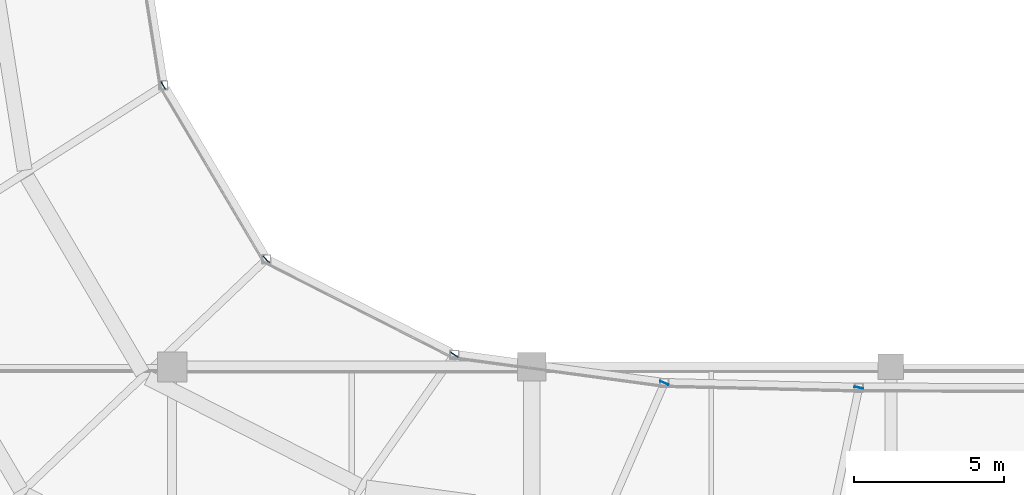
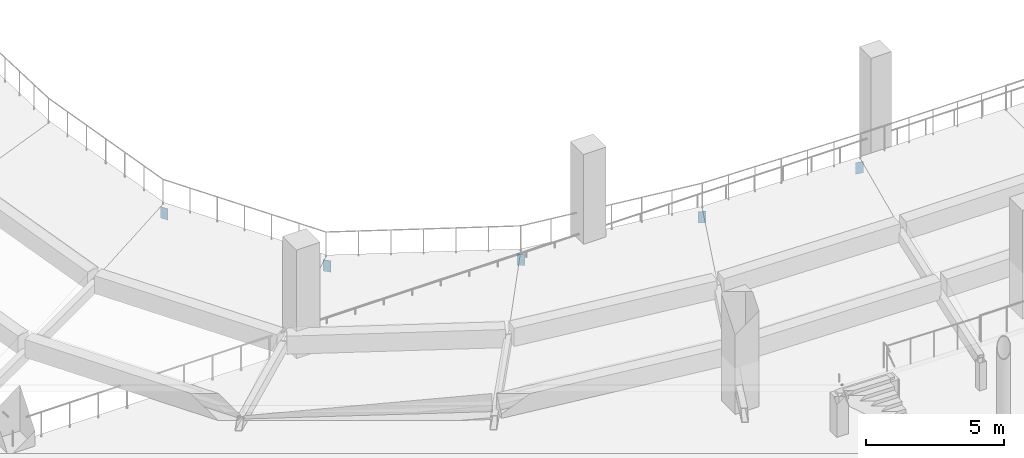
# One storey, part 40 of 77: 5 plates.
"""IFC4 building model written with IfcOpenShell, lengths in metres."""

from ifc_helpers import new_model, si_unit, direction, frame, origin, origin_2d, place, context, subcontext, project, spatial, rectangle, extrude, material, layer, layer_set, type_object, element, save


model = new_model("IFC4")

# Units and contexts
model_context = context("Model", 3, precision=1e-05, world=origin(), true_north=direction((0.0, 1.0)))
body_context = subcontext(model_context, "Body", "Model", "MODEL_VIEW")
ifc_project = project(units=[si_unit("LENGTHUNIT", "METRE"), si_unit("AREAUNIT", "SQUARE_METRE"), si_unit("VOLUMEUNIT", "CUBIC_METRE"), si_unit("PLANEANGLEUNIT", "RADIAN"), si_unit("MASSUNIT", "GRAM", prefix="KILO")], contexts=[model_context])

# Site, building, storey
site_placement = place(None, origin())
site = spatial("IfcSite", under=ifc_project, at=site_placement, CompositionType="ELEMENT")
building_placement = place(site_placement, origin())
building = spatial("IfcBuilding", under=site, at=building_placement, Name="Luwafu Chhajja Arena", CompositionType="ELEMENT")
storey_placement = place(building_placement, frame((0.0, 0.0, 14.699951171875)))
storey = spatial("IfcBuildingStorey", under=building, at=storey_placement, Name="L03", CompositionType="ELEMENT", Elevation=14.699951171875)

# Plates
ifc_material = material(Name="Steel S355", Category="steel")
ifc_layer = layer(ifc_material, 0.02392578125, Name="Steel S355")
ifc_layer_set = layer_set([ifc_layer], Name="Steel S355")
plate_type = type_object("IfcPlateType", Name="Raker Hollow End Closure Plate FN-2", PredefinedType="USERDEFINED", material=ifc_layer_set)
for number, where, z_axis, x_axis, name in (
    (1, (69.701416015625, 31.399658203125, 0.10009765625), (0.0, 0.0, 1.0), (-0.843828331333, -0.536613219405, 0.0), "Upper Raker End Cap Plate FN-2 20"),
    (2, (73.14013671875, 25.590087890625, 0.10009765625), (0.0, 0.0, 1.0), (-0.724375393874, -0.689405750448, 0.0), "Upper Raker End Cap Plate FN-2 21"),
    (3, (79.42333984375, 22.410888671875, 0.10009765625), (0.0, 0.0, 1.0), (-0.574600858154, -0.818433780955, 0.0), "Upper Raker End Cap Plate FN-2 22"),
    (4, (86.439697265625, 21.463134765625, 0.10009765625), (0.0, 0.0, 1.0), (-0.399065517637, -0.916922413639, 0.0), "Upper Raker End Cap Plate FN-2 23"),
    (5, (92.934814453125, 21.3076171875, 0.10009765625), (0.0, 0.0, 1.0), (-0.204577818989, -0.978850303151, 0.0), "Upper Raker End Cap Plate FN-2 24"),
):
    element("IfcPlate", number, at=place(storey_placement, frame(where, z_axis=z_axis, x_axis=x_axis)), inside=storey, type_object=plate_type, Name=name, ObjectType="GUSSET PLATE", PredefinedType="USERDEFINED", context=body_context, shape_type="SweptSolid", body=[
        extrude(rectangle(XDim=0.02392578125, YDim=0.300048828125, at=origin_2d()), origin(), (0.0, 0.0, 1.0), 0.5),
    ])

save(model, "model.ifc")
